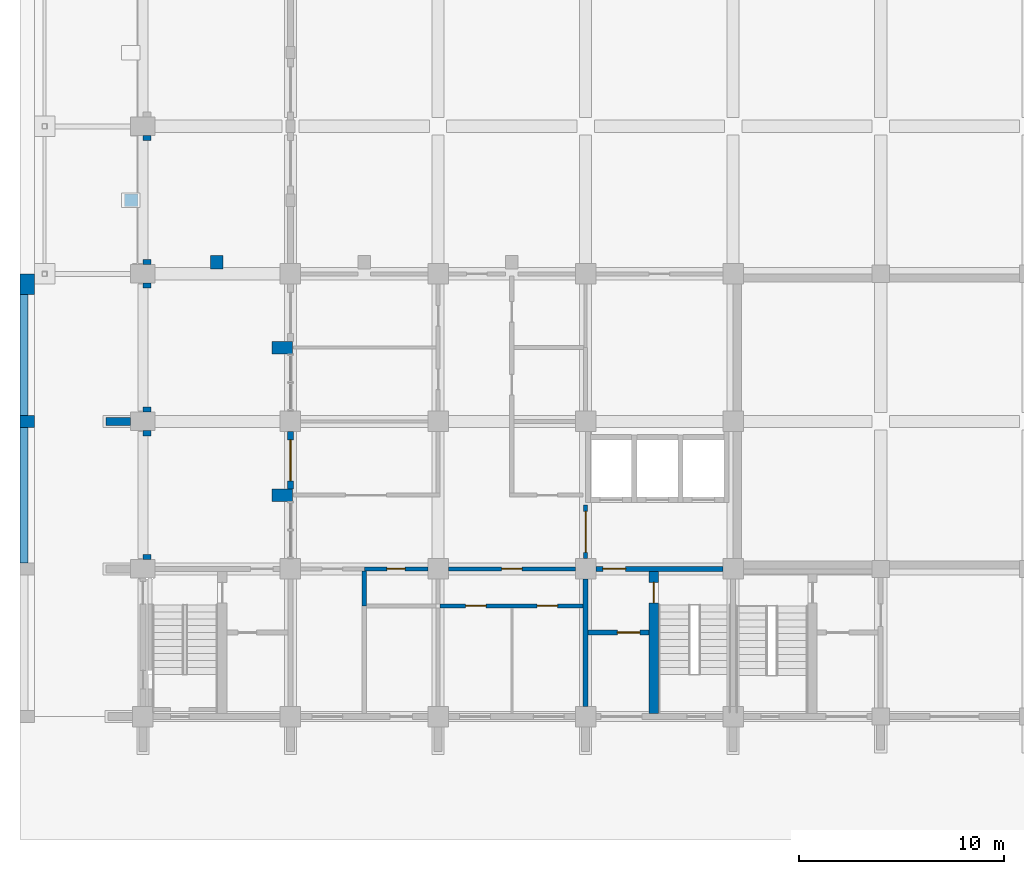
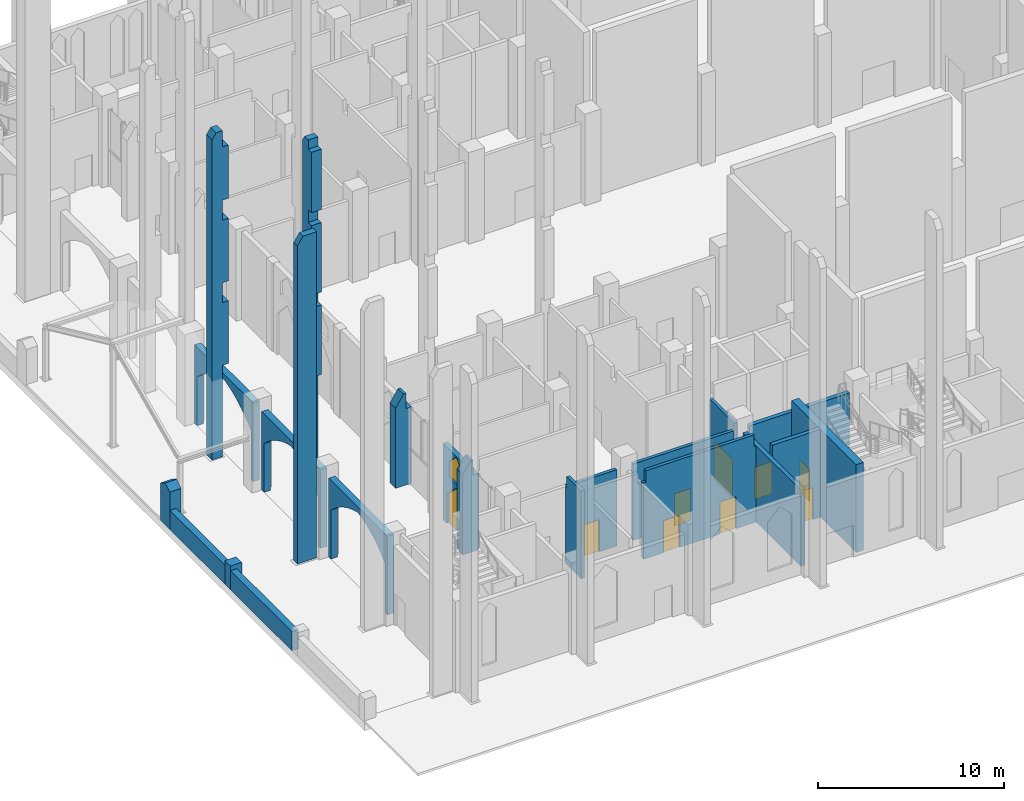
# One storey, part 29 of 50: 22 walls, 9 doors, 1 window, 10 openings.
"""IFC4 building model written with IfcOpenShell, lengths in metres."""

from ifc_helpers import new_model, si_unit, direction, frame, frame_2d, origin, place, context, subcontext, project, spatial, polyline, rectangle, outline, extrude, material, layer, layer_set, type_object, element, fill, save


model = new_model("IFC4")

# Units and contexts
model_context = context("Model", 3, precision=1e-05, world=origin(), true_north=direction((0.0, 1.0)))
body_context = subcontext(model_context, "Body", "Model", "MODEL_VIEW")
ifc_project = project(units=[si_unit("LENGTHUNIT", "METRE"), si_unit("AREAUNIT", "SQUARE_METRE"), si_unit("VOLUMEUNIT", "CUBIC_METRE"), si_unit("PLANEANGLEUNIT", "RADIAN"), si_unit("MASSUNIT", "GRAM", prefix="KILO")], contexts=[model_context])

# Site, building, storey
site_placement = place(None, origin())
site = spatial("IfcSite", under=ifc_project, at=site_placement, CompositionType="ELEMENT")
building_placement = place(site_placement, origin())
building = spatial("IfcBuilding", under=site, at=building_placement, Name="Silangan Lancet Faculty of Sciences", CompositionType="ELEMENT")
storey_placement = place(building_placement, origin())
storey = spatial("IfcBuildingStorey", under=building, at=storey_placement, Name="L00", CompositionType="ELEMENT", Elevation=0.0)

# Wall, openings, window, door
ifc_material_1 = material(Name="Concrete C40/50 precast", Category="concrete")
ifc_layer_1 = layer(ifc_material_1, 0.300048828125)
ifc_layer_set_1 = layer_set([ifc_layer_1], Name="Concrete C40/50 precast")
wall_type_1 = type_object("IfcWallType", Name="EW1 Precast cladding wall", PredefinedType="STANDARD", material=ifc_layer_set_1)
wall_1_placement = place(storey_placement, frame((7.199951171875, 11.10009765625, 0.0), z_axis=(0.0, 0.0, 1.0), x_axis=(0.0, 1.0, 0.0)))
wall_1 = element("IfcWall", 1, at=wall_1_placement, inside=storey, type_object=wall_type_1, Name="EW-L00-SHOP-W-S-m01", PredefinedType="STANDARD", context=body_context, shape_type="SweptSolid", body=[
    extrude(rectangle(XDim=2.7998046875, YDim=0.300048828125, at=frame_2d((1.39990234375, 0.0))), origin(), (0.0, 0.0, 1.0), 5.0),
])
opening_1_placement = place(wall_1_placement, frame((0.39990234375, 0.0, 0.0)))
opening_1 = element("IfcOpeningElement", 2, at=opening_1_placement, cuts=wall_1, Name="Opening L00-919", PredefinedType="OPENING", context=body_context, shape_type="SweptSolid", body=[
    extrude(outline(polyline([(0.0, 0.0), (2.0, 0.0), (2.0, 1.89990234375), (1.0, 2.89990234375), (0.0, 1.89990234375), (0.0, 0.0)])), frame((0.0, 0.159912109375, 0.0), z_axis=(0.0, -1.0, 0.0), x_axis=(1.0, 0.0, 0.0)), (0.0, 0.0, 1.0), 0.320068359375),
])
opening_2_placement = place(wall_1_placement, frame((0.64990234375, 0.0, 3.14990234375)))
opening_2 = element("IfcOpeningElement", 3, at=opening_2_placement, cuts=wall_1, Name="Opening W1", PredefinedType="OPENING", context=body_context, shape_type="SweptSolid", body=[
    extrude(outline(polyline([(0.0, 0.0), (1.5, 0.0), (1.5, 1.050048828125), (0.75, 1.800048828125), (0.0, 1.050048828125), (0.0, 0.0)])), frame((0.0, 0.159912109375, 0.0), z_axis=(0.0, -1.0, 0.0), x_axis=(1.0, 0.0, 0.0)), (0.0, 0.0, 1.0), 0.320068359375),
])
ifc_material_2 = material(Name="Aluminium frame, laminated double glazing", Category="aluminium")
window_type = type_object("IfcWindowType", Name="W1 Lancet window 1500 x 1800 on a 3150 sill", PartitioningType="SINGLE_PANEL", PredefinedType="WINDOW", material=ifc_material_2)
window_placement = place(opening_2_placement, origin())
window = element("IfcWindow", 4, at=window_placement, inside=storey, type_object=window_type, Name="WIN-L00-SHOP-W-S-m01", OverallHeight=1.800048828125, OverallWidth=1.5, PartitioningType="SINGLE_PANEL", PredefinedType="WINDOW", context=body_context, shape_type="SweptSolid", body=[
    extrude(outline(polyline([(0.0, 0.0), (1.5, 0.0), (1.5, 1.050048828125), (0.75, 1.800048828125), (0.0, 1.050048828125), (0.0, 0.0)])), frame((0.0, 0.030029296875, 0.0), z_axis=(0.0, -1.0, 0.0), x_axis=(1.0, 0.0, 0.0)), (0.0, 0.0, 1.0), 0.06005859375),
])
fill(opening_2, window)
ifc_material_3 = material(Name="Aluminium frame, laminated glazing", Category="aluminium")
door_type_1 = type_object("IfcDoorType", Name="XD7 Entrance door pair 2000 x 2900", OperationType="DOUBLE_DOOR_SINGLE_SWING", PredefinedType="DOOR", material=ifc_material_3)
door_1_placement = place(opening_1_placement, origin())
door_1 = element("IfcDoor", 5, at=door_1_placement, inside=storey, type_object=door_type_1, Name="DOOR-L00-919", OperationType="DOUBLE_DOOR_SINGLE_SWING", OverallHeight=2.89990234375, OverallWidth=2.0, PredefinedType="DOOR", context=body_context, shape_type="SweptSolid", body=[
    extrude(outline(polyline([(0.0, 0.0), (2.0, 0.0), (2.0, 1.89990234375), (1.0, 2.89990234375), (0.0, 1.89990234375), (0.0, 0.0)])), frame((0.0, 0.02490234375, 0.0), z_axis=(0.0, -1.0, 0.0), x_axis=(1.0, 0.0, 0.0)), (0.0, 0.0, 1.0), 0.050048828125),
])
fill(opening_1, door_1)

# Walls
ifc_material_4 = material(Name="Concrete C40/50", Category="concrete")
ifc_layer_2 = layer(ifc_material_4, 0.39990234375)
ifc_layer_set_2 = layer_set([ifc_layer_2], Name="Concrete C40/50")
wall_type_2 = type_object("IfcWallType", Name="EW11 Forecourt stone wall 400", PredefinedType="STANDARD", material=ifc_layer_set_2)
wall_2_placement = place(storey_placement, frame((-5.800048828125, 7.5, -0.14990234375), z_axis=(0.0, 0.0, 1.0), x_axis=(0.0, 1.0, 0.0)))
element("IfcWall", 6, at=wall_2_placement, inside=storey, type_object=wall_type_2, Name="BWF-02", PredefinedType="STANDARD", context=body_context, shape_type="SweptSolid", body=[
    extrude(rectangle(XDim=6.60009765625, YDim=0.39990234375, at=frame_2d((3.300048828125, 0.0))), origin(), (0.0, 0.0, 1.0), 1.25),
])
wall_3_placement = place(storey_placement, frame((-5.800048828125, 14.699951171875, -0.14990234375), z_axis=(0.0, 0.0, 1.0), x_axis=(0.0, 1.0, 0.0)))
element("IfcWall", 7, at=wall_3_placement, inside=storey, type_object=wall_type_2, Name="BWF-03", PredefinedType="STANDARD", context=body_context, shape_type="SweptSolid", body=[
    extrude(rectangle(XDim=5.900146484375, YDim=0.39990234375, at=frame_2d((2.9501953125, 0.0))), origin(), (0.0, 0.0, 1.0), 1.25),
])
ifc_material_5 = material(Name="Concrete C40/50", Category="concrete")
ifc_layer_3 = layer(ifc_material_5, 0.699951171875)
ifc_layer_set_3 = layer_set([ifc_layer_3], Name="Concrete C40/50")
wall_type_3 = type_object("IfcWallType", Name="EW12 Forecourt wall pier 700 x 600", PredefinedType="STANDARD", material=ifc_layer_set_3)
wall_4_placement = place(storey_placement, frame((-5.64990234375, 14.10009765625, -0.14990234375), z_axis=(0.0, 0.0, 1.0), x_axis=(0.0, 1.0, 0.0)))
element("IfcWall", 8, at=wall_4_placement, inside=storey, type_object=wall_type_3, Name="BPF-03", PredefinedType="STANDARD", context=body_context, shape_type="SweptSolid", body=[
    extrude(rectangle(XDim=0.599853515625, YDim=0.699951171875, at=frame_2d((0.2998046875, 0.0))), origin(), (0.0, 0.0, 1.0), 1.5498046875),
])
ifc_material_6 = material(Name="Concrete C40/50", Category="concrete")
ifc_layer_4 = layer(ifc_material_6, 0.699951171875)
ifc_layer_set_4 = layer_set([ifc_layer_4], Name="Concrete C40/50")
wall_type_4 = type_object("IfcWallType", Name="EW13 Forecourt gate pier with gabled cap", PredefinedType="POLYGONAL", material=ifc_layer_set_4)
wall_5_placement = place(storey_placement, frame((-5.64990234375, 20.60009765625, -0.14990234375), z_axis=(0.0, 0.0, 1.0), x_axis=(0.0, 1.0, 0.0)))
element("IfcWall", 9, at=wall_5_placement, inside=storey, type_object=wall_type_4, Name="BPG-01", PredefinedType="POLYGONAL", context=body_context, shape_type="SweptSolid", body=[
    extrude(outline(polyline([(0.0, 0.0), (1.0, 0.0), (1.0, 2.449951171875), (0.5, 2.75), (0.0, 2.449951171875), (0.0, 0.0)])), frame((0.0, 0.35009765625, 0.0), z_axis=(0.0, -1.0, 0.0), x_axis=(1.0, 0.0, 0.0)), (0.0, 0.0, 1.0), 0.699951171875),
])
ifc_material_7 = material(Name="Concrete C40/50 precast", Category="concrete")
ifc_layer_5 = layer(ifc_material_7, 0.39990234375)
ifc_layer_set_5 = layer_set([ifc_layer_5], Name="Concrete C40/50 precast")
wall_type_5 = type_object("IfcWallType", Name="EW5 Arcade spandrel arch", PredefinedType="POLYGONAL", material=ifc_layer_set_5)
wall_6_placement = place(storey_placement, frame((0.199951171875, 7.64990234375, 0.0), z_axis=(0.0, 0.0, 1.0), x_axis=(0.0, 1.0, 0.0)))
element("IfcWall", 10, at=wall_6_placement, inside=storey, type_object=wall_type_5, Name="ARC-L00-01", PredefinedType="POLYGONAL", context=body_context, shape_type="SweptSolid", body=[
    extrude(outline(polyline([(0.0, 0.0), (0.25, 0.0), (0.25, 3.199951171875), (0.492431640625, 3.4326171875), (0.747802734375, 3.650634765625), (1.015380859375, 3.853515625), (1.294189453125, 4.040771484375), (1.583251953125, 4.21142578125), (1.882080078125, 4.364990234375), (2.18896484375, 4.501220703125), (2.50341796875, 4.619384765625), (2.82421875, 4.718994140625), (3.14990234375, 4.800048828125), (3.475830078125, 4.718994140625), (3.796630859375, 4.619384765625), (4.111083984375, 4.501220703125), (4.41796875, 4.364990234375), (4.716796875, 4.21142578125), (5.005859375, 4.040771484375), (5.28466796875, 3.853515625), (5.55224609375, 3.650634765625), (5.8076171875, 3.4326171875), (6.050048828125, 3.199951171875), (6.050048828125, 0.0), (6.300048828125, 0.0), (6.300048828125, 5.14990234375), (0.0, 5.14990234375), (0.0, 0.0)])), frame((0.0, 0.199951171875, 0.0), z_axis=(0.0, -1.0, 0.0), x_axis=(1.0, 0.0, 0.0)), (0.0, 0.0, 1.0), 0.39990234375),
])
wall_7_placement = place(storey_placement, frame((0.199951171875, 14.85009765625, 0.0), z_axis=(0.0, 0.0, 1.0), x_axis=(0.0, 1.0, 0.0)))
element("IfcWall", 11, at=wall_7_placement, inside=storey, type_object=wall_type_5, Name="ARC-L00-02", PredefinedType="POLYGONAL", context=body_context, shape_type="SweptSolid", body=[
    extrude(outline(polyline([(0.0, 0.0), (0.25, 0.0), (0.25, 3.199951171875), (0.492431640625, 3.4326171875), (0.74755859375, 3.650634765625), (1.01513671875, 3.853515625), (1.294189453125, 4.040771484375), (1.583251953125, 4.21142578125), (1.8818359375, 4.364990234375), (2.18896484375, 4.501220703125), (2.50341796875, 4.619384765625), (2.823974609375, 4.718994140625), (3.14990234375, 4.800048828125), (3.475830078125, 4.718994140625), (3.79638671875, 4.619384765625), (4.11083984375, 4.501220703125), (4.41796875, 4.364990234375), (4.716552734375, 4.21142578125), (5.005615234375, 4.040771484375), (5.28466796875, 3.853515625), (5.55224609375, 3.650634765625), (5.807373046875, 3.4326171875), (6.0498046875, 3.199951171875), (6.0498046875, 0.0), (6.2998046875, 0.0), (6.2998046875, 5.14990234375), (0.0, 5.14990234375), (0.0, 0.0)])), frame((0.0, 0.199951171875, 0.0), z_axis=(0.0, -1.0, 0.0), x_axis=(1.0, 0.0, 0.0)), (0.0, 0.0, 1.0), 0.39990234375),
])
wall_8_placement = place(storey_placement, frame((0.199951171875, 22.050048828125, 0.0), z_axis=(0.0, 0.0, 1.0), x_axis=(0.0, 1.0, 0.0)))
element("IfcWall", 12, at=wall_8_placement, inside=storey, type_object=wall_type_5, Name="ARC-L00-03", PredefinedType="POLYGONAL", context=body_context, shape_type="SweptSolid", body=[
    extrude(outline(polyline([(0.0, 0.0), (0.25, 0.0), (0.25, 3.199951171875), (0.492431640625, 3.4326171875), (0.747802734375, 3.650634765625), (1.015380859375, 3.853515625), (1.294189453125, 4.040771484375), (1.583251953125, 4.21142578125), (1.882080078125, 4.364990234375), (2.18896484375, 4.501220703125), (2.50341796875, 4.619384765625), (2.82421875, 4.718994140625), (3.14990234375, 4.800048828125), (3.475830078125, 4.718994140625), (3.796630859375, 4.619384765625), (4.111083984375, 4.501220703125), (4.41796875, 4.364990234375), (4.716796875, 4.21142578125), (5.005859375, 4.040771484375), (5.28466796875, 3.853515625), (5.55224609375, 3.650634765625), (5.8076171875, 3.4326171875), (6.050048828125, 3.199951171875), (6.050048828125, 0.0), (6.300048828125, 0.0), (6.300048828125, 5.14990234375), (0.0, 5.14990234375), (0.0, 0.0)])), frame((0.0, 0.199951171875, 0.0), z_axis=(0.0, -1.0, 0.0), x_axis=(1.0, 0.0, 0.0)), (0.0, 0.0, 1.0), 0.39990234375),
])
ifc_material_8 = material(Name="Concrete C40/50 precast", Category="concrete")
ifc_layer_6 = layer(ifc_material_8, 0.39990234375)
ifc_layer_set_6 = layer_set([ifc_layer_6], Name="Concrete C40/50 precast")
wall_type_6 = type_object("IfcWallType", Name="FN14 Buttress Fin column line stage 1 21350", PredefinedType="POLYGONAL", material=ifc_layer_set_6)
wall_9_placement = place(storey_placement, frame((-0.60009765625, 14.39990234375, 0.0), z_axis=(0.0, 0.0, 1.0), x_axis=(-1.0, 0.0, 0.0)))
element("IfcWall", 13, at=wall_9_placement, inside=storey, type_object=wall_type_6, Name="FINC-W-ST-03", PredefinedType="POLYGONAL", context=body_context, shape_type="SweptSolid", body=[
    extrude(outline(polyline([(1.199951171875, 0.0), (1.199951171875, 20.824951171875), (0.85009765625, 21.35009765625), (0.0, 21.35009765625), (0.0, 0.0), (1.199951171875, 0.0)])), frame((0.0, 0.199951171875, 0.0), z_axis=(0.0, -1.0, 0.0), x_axis=(1.0, 0.0, 0.0)), (0.0, 0.0, 1.0), 0.39990234375),
])
ifc_material_9 = material(Name="Concrete C40/50 precast", Category="concrete")
ifc_layer_7 = layer(ifc_material_9, 0.60009765625)
ifc_layer_set_7 = layer_set([ifc_layer_7], Name="Concrete C40/50 precast")
wall_type_7 = type_object("IfcWallType", Name="FN3 Buttress Fin mid-bay stage 1 21350", PredefinedType="POLYGONAL", material=ifc_layer_set_7)
wall_10_placement = place(storey_placement, frame((3.60009765625, 21.5, 0.0), z_axis=(0.0, 0.0, 1.0), x_axis=(0.0, 1.0, 0.0)))
element("IfcWall", 14, at=wall_10_placement, inside=storey, type_object=wall_type_7, Name="FIN-ATR-ST-5", PredefinedType="POLYGONAL", context=body_context, shape_type="SweptSolid", body=[
    extrude(outline(polyline([(1.0, 0.0), (1.0, 20.97509765625), (0.75, 21.35009765625), (0.35009765625, 21.35009765625), (0.35009765625, 20.75), (0.0, 20.75), (0.0, 16.800048828125), (0.35009765625, 16.800048828125), (0.35009765625, 15.949951171875), (0.0, 15.949951171875), (0.0, 11.39990234375), (0.35009765625, 11.39990234375), (0.35009765625, 10.550048828125), (0.0, 10.550048828125), (0.0, 6.0), (0.35009765625, 6.0), (0.35009765625, 0.0), (1.0, 0.0)])), frame((0.0, 0.300048828125, 0.0), z_axis=(0.0, -1.0, 0.0), x_axis=(1.0, 0.0, 0.0)), (0.0, 0.0, 1.0), 0.60009765625),
])
ifc_material_10 = material(Name="Concrete C40/50 precast", Category="concrete")
ifc_layer_8 = layer(ifc_material_10, 0.60009765625)
ifc_layer_set_8 = layer_set([ifc_layer_8], Name="Concrete C40/50 precast")
wall_type_8 = type_object("IfcWallType", Name="FN5 Buttress Fin mid-bay stage 1 21350", PredefinedType="POLYGONAL", material=ifc_layer_set_8)
wall_11_placement = place(storey_placement, frame((0.10009765625, 25.199951171875, 0.0), z_axis=(0.0, 0.0, 1.0), x_axis=(-1.0, 0.0, 0.0)))
element("IfcWall", 15, at=wall_11_placement, inside=storey, type_object=wall_type_8, Name="FIN-W-NAVE-1", PredefinedType="POLYGONAL", context=body_context, shape_type="SweptSolid", body=[
    extrude(outline(polyline([(1.0, 0.0), (1.0, 20.97509765625), (0.75, 21.35009765625), (0.35009765625, 21.35009765625), (0.35009765625, 20.300048828125), (0.0, 20.300048828125), (0.0, 16.800048828125), (0.35009765625, 16.800048828125), (0.35009765625, 15.5), (0.0, 15.5), (0.0, 11.39990234375), (0.35009765625, 11.39990234375), (0.35009765625, 10.10009765625), (0.0, 10.10009765625), (0.0, 6.0), (0.35009765625, 6.0), (0.35009765625, 0.0), (1.0, 0.0)])), frame((0.0, 0.300048828125, 0.0), z_axis=(0.0, -1.0, 0.0), x_axis=(1.0, 0.0, 0.0)), (0.0, 0.0, 1.0), 0.60009765625),
])
ifc_material_11 = material(Name="Concrete C40/50 precast", Category="concrete")
ifc_layer_9 = layer(ifc_material_11, 0.60009765625)
ifc_layer_set_9 = layer_set([ifc_layer_9], Name="Concrete C40/50 precast")
wall_type_9 = type_object("IfcWallType", Name="FN9 Buttress Fin mid-bay stage 1 6000", PredefinedType="POLYGONAL", material=ifc_layer_set_9)
for number, where, z_axis, x_axis, name in (
    (16, (7.300048828125, 10.800048828125, 0.0), (0.0, 0.0, 1.0), (-1.0, 0.0, 0.0), "FIN-SHOP-W-S-1"),
    (17, (7.300048828125, 18.0, 0.0), (0.0, 0.0, 1.0), (-1.0, 0.0, 0.0), "FIN-SHOP-W-S-3"),
):
    element("IfcWall", number, at=place(storey_placement, frame(where, z_axis=z_axis, x_axis=x_axis)), inside=storey, type_object=wall_type_9, Name=name, PredefinedType="POLYGONAL", context=body_context, shape_type="SweptSolid", body=[
        extrude(outline(polyline([(1.0, 0.0), (1.0, 5.25), (0.5, 6.0), (0.35009765625, 6.0), (0.35009765625, 5.0), (0.0, 5.0), (0.0, 0.0), (1.0, 0.0)])), frame((0.0, 0.300048828125, 0.0), z_axis=(0.0, -1.0, 0.0), x_axis=(1.0, 0.0, 0.0)), (0.0, 0.0, 1.0), 0.60009765625),
    ])

# Wall, openings, doors
ifc_material_12 = material(Name="Hollow block masonry fm 7 MPa", Category="masonry")
ifc_layer_10 = layer(ifc_material_12, 0.199951171875)
ifc_layer_set_10 = layer_set([ifc_layer_10], Name="Hollow block masonry fm 7 MPa")
wall_type_10 = type_object("IfcWallType", Name="Interior wall PW1 Corridor wall CHB 200", PredefinedType="PARTITIONING", material=ifc_layer_set_10)
wall_12_placement = place(storey_placement, frame((14.5, 5.39990234375, 0.0), z_axis=(0.0, 0.0, 1.0), x_axis=(1.0, 0.0, 0.0)))
wall_12 = element("IfcWall", 18, at=wall_12_placement, inside=storey, type_object=wall_type_10, Name="Corridor wall CHB 200", PredefinedType="PARTITIONING", context=body_context, shape_type="SweptSolid", body=[
    extrude(outline(polyline([(0.0, 0.0), (6.97509765625, 0.0), (6.97509765625, 5.0), (6.85009765625, 5.0), (6.85009765625, 5.75), (0.14990234375, 5.75), (0.14990234375, 5.0), (0.0, 5.0), (0.0, 0.0)])), frame((0.0, 0.10009765625, 0.0), z_axis=(0.0, -1.0, 0.0), x_axis=(1.0, 0.0, 0.0)), (0.0, 0.0, 1.0), 0.199951171875),
])
opening_3_placement = place(wall_12_placement, frame((1.25, 0.0, 0.0)))
opening_3 = element("IfcOpeningElement", 19, at=opening_3_placement, cuts=wall_12, Name="Opening L00-044", PredefinedType="OPENING", context=body_context, shape_type="SweptSolid", body=[
    extrude(rectangle(XDim=1.0, YDim=2.10009765625, at=frame_2d((0.5, 1.050048828125))), frame((0.0, 0.10986328125, 0.0), z_axis=(0.0, -1.0, 0.0), x_axis=(1.0, 0.0, 0.0)), (0.0, 0.0, 1.0), 0.219970703125),
])
opening_4_placement = place(wall_12_placement, frame((4.737548828125, 0.0, 0.0)))
opening_4 = element("IfcOpeningElement", 20, at=opening_4_placement, cuts=wall_12, Name="Opening L00-045", PredefinedType="OPENING", context=body_context, shape_type="SweptSolid", body=[
    extrude(rectangle(XDim=1.0, YDim=2.10009765625, at=frame_2d((0.5, 1.050048828125))), frame((0.0, 0.10986328125, 0.0), z_axis=(0.0, -1.0, 0.0), x_axis=(1.0, 0.0, 0.0)), (0.0, 0.0, 1.0), 0.219970703125),
])
ifc_material_13 = material(Name="Steel fire door set", Category="steel")
door_type_2 = type_object("IfcDoorType", Name="Door D1 Single leaf fire door 1000 x 2100", OperationType="SINGLE_SWING_LEFT", PredefinedType="DOOR", material=ifc_material_13)
door_2_placement = place(opening_3_placement, frame((1.0, 0.0, 0.0), z_axis=(0.0, 0.0, 1.0), x_axis=(-1.0, 0.0, 0.0)))
door_2 = element("IfcDoor", 21, at=door_2_placement, inside=storey, type_object=door_type_2, Name="Single leaf fire door 1000 x 2100", OperationType="SINGLE_SWING_RIGHT", OverallHeight=2.10009765625, OverallWidth=1.0, PredefinedType="DOOR", context=body_context, shape_type="SweptSolid", body=[
    extrude(rectangle(XDim=1.0, YDim=2.10009765625, at=frame_2d((0.5, 1.050048828125))), frame((0.0, 0.025146484375, 0.0), z_axis=(0.0, -1.0, 0.0), x_axis=(1.0, 0.0, 0.0)), (0.0, 0.0, 1.0), 0.050048828125),
])
fill(opening_3, door_2)
door_3_placement = place(opening_4_placement, frame((1.0, 0.0, 0.0), z_axis=(0.0, 0.0, 1.0), x_axis=(-1.0, 0.0, 0.0)))
door_3 = element("IfcDoor", 22, at=door_3_placement, inside=storey, type_object=door_type_2, Name="Single leaf fire door 1000 x 2100", OperationType="SINGLE_SWING_LEFT", OverallHeight=2.10009765625, OverallWidth=1.0, PredefinedType="DOOR", context=body_context, shape_type="SweptSolid", body=[
    extrude(rectangle(XDim=1.0, YDim=2.10009765625, at=frame_2d((0.5, 1.050048828125))), frame((0.0, 0.025146484375, 0.0), z_axis=(0.0, -1.0, 0.0), x_axis=(1.0, 0.0, 0.0)), (0.0, 0.0, 1.0), 0.050048828125),
])
fill(opening_4, door_3)

# Wall, opening, door
wall_13_placement = place(storey_placement, frame((14.89990234375, 7.199951171875, 0.0), z_axis=(0.0, 0.0, 1.0), x_axis=(1.0, 0.0, 0.0)))
wall_13 = element("IfcWall", 23, at=wall_13_placement, inside=storey, type_object=wall_type_10, Name="Corridor wall CHB 200", PredefinedType="PARTITIONING", context=body_context, shape_type="SweptSolid", body=[
    extrude(rectangle(XDim=6.2001953125, YDim=0.199951171875, at=frame_2d((3.10009765625, 0.0))), origin(), (0.0, 0.0, 1.0), 5.0),
])
opening_5_placement = place(wall_13_placement, frame((2.60009765625, 0.0, 0.0)))
opening_5 = element("IfcOpeningElement", 24, at=opening_5_placement, cuts=wall_13, Name="Opening L00-006", PredefinedType="OPENING", context=body_context, shape_type="SweptSolid", body=[
    extrude(rectangle(XDim=1.0, YDim=2.10009765625, at=frame_2d((0.5, 1.050048828125))), frame((0.0, 0.10986328125, 0.0), z_axis=(0.0, -1.0, 0.0), x_axis=(1.0, 0.0, 0.0)), (0.0, 0.0, 1.0), 0.219970703125),
])
door_4_placement = place(opening_5_placement, frame((1.0, 0.0, 0.0), z_axis=(0.0, 0.0, 1.0), x_axis=(-1.0, 0.0, 0.0)))
door_4 = element("IfcDoor", 25, at=door_4_placement, inside=storey, type_object=door_type_2, Name="Single leaf fire door 1000 x 2100", OperationType="SINGLE_SWING_LEFT", OverallHeight=2.10009765625, OverallWidth=1.0, PredefinedType="DOOR", context=body_context, shape_type="SweptSolid", body=[
    extrude(rectangle(XDim=1.0, YDim=2.10009765625, at=frame_2d((0.5, 1.050048828125))), frame((0.0, 0.025146484375, 0.0), z_axis=(0.0, -1.0, 0.0), x_axis=(1.0, 0.0, 0.0)), (0.0, 0.0, 1.0), 0.050048828125),
])
fill(opening_5, door_4)

ifc_material_14 = material(Name="Concrete C35/45", Category="concrete")
ifc_layer_11 = layer(ifc_material_14, 0.199951171875)
ifc_layer_set_11 = layer_set([ifc_layer_11], Name="Concrete C35/45")
wall_type_11 = type_object("IfcWallType", Name="Interior wall PW5 Riser wall RC 200", PredefinedType="SOLIDWALL", material=ifc_layer_set_11)
wall_14_placement = place(storey_placement, frame((10.800048828125, 7.199951171875, 0.0), z_axis=(0.0, 0.0, 1.0), x_axis=(1.0, 0.0, 0.0)))
wall_14 = element("IfcWall", 26, at=wall_14_placement, inside=storey, type_object=wall_type_11, Name="Riser wall RC 200", PredefinedType="SOLIDWALL", context=body_context, shape_type="SweptSolid", body=[
    extrude(rectangle(XDim=3.099853515625, YDim=0.199951171875, at=frame_2d((1.5498046875, 0.0))), origin(), (0.0, 0.0, 1.0), 5.0),
])
opening_6_placement = place(wall_14_placement, frame((1.10009765625, 0.0, 0.0)))
opening_6 = element("IfcOpeningElement", 27, at=opening_6_placement, cuts=wall_14, Name="Opening L00-043", PredefinedType="OPENING", context=body_context, shape_type="SweptSolid", body=[
    extrude(rectangle(XDim=0.89990234375, YDim=2.10009765625, at=frame_2d((0.449951171875, 1.050048828125))), frame((0.0, 0.10986328125, 0.0), z_axis=(0.0, -1.0, 0.0), x_axis=(1.0, 0.0, 0.0)), (0.0, 0.0, 1.0), 0.219970703125),
])
ifc_material_15 = material(Name="Steel fire door set", Category="steel")
door_type_3 = type_object("IfcDoorType", Name="Door D9 Riser access door 900 x 2100", OperationType="SINGLE_SWING_LEFT", PredefinedType="DOOR", material=ifc_material_15)
door_5_placement = place(opening_6_placement, frame((0.89990234375, 0.0, 0.0), z_axis=(0.0, 0.0, 1.0), x_axis=(-1.0, 0.0, 0.0)))
door_5 = element("IfcDoor", 28, at=door_5_placement, inside=storey, type_object=door_type_3, Name="Riser access door 900 x 2100", OperationType="SINGLE_SWING_LEFT", OverallHeight=2.10009765625, OverallWidth=0.89990234375, PredefinedType="DOOR", context=body_context, shape_type="SweptSolid", body=[
    extrude(rectangle(XDim=0.89990234375, YDim=2.10009765625, at=frame_2d((0.449951171875, 1.050048828125))), frame((0.0, 0.025146484375, 0.0), z_axis=(0.0, -1.0, 0.0), x_axis=(1.0, 0.0, 0.0)), (0.0, 0.0, 1.0), 0.050048828125),
])
fill(opening_6, door_5)

# Wall
wall_15_placement = place(storey_placement, frame((10.800048828125, 5.39990234375, 0.0), z_axis=(0.0, 0.0, 1.0), x_axis=(0.0, 1.0, 0.0)))
element("IfcWall", 29, at=wall_15_placement, inside=storey, type_object=wall_type_11, Name="Riser wall RC 200", PredefinedType="SOLIDWALL", context=body_context, shape_type="SweptSolid", body=[
    extrude(outline(polyline([(0.0, 0.0), (1.7001953125, 0.0), (1.7001953125, 5.0), (1.550048828125, 5.0), (1.550048828125, 5.75), (0.0, 5.75), (0.0, 0.0)])), frame((0.0, 0.10009765625, 0.0), z_axis=(0.0, -1.0, 0.0), x_axis=(1.0, 0.0, 0.0)), (0.0, 0.0, 1.0), 0.199951171875),
])

# Wall, opening, door
ifc_material_16 = material(Name="Hollow block masonry fm 7 MPa", Category="masonry")
ifc_layer_12 = layer(ifc_material_16, 0.199951171875)
ifc_layer_set_12 = layer_set([ifc_layer_12], Name="Hollow block masonry fm 7 MPa")
wall_type_12 = type_object("IfcWallType", Name="Interior wall PW9 Lift lobby wall CHB 200", PredefinedType="PARTITIONING", material=ifc_layer_set_12)
wall_16_placement = place(storey_placement, frame((21.60009765625, 7.699951171875, 0.0), z_axis=(0.0, 0.0, 1.0), x_axis=(0.0, 1.0, 0.0)))
wall_16 = element("IfcWall", 30, at=wall_16_placement, inside=storey, type_object=wall_type_12, Name="Lift lobby wall CHB 200", PredefinedType="PARTITIONING", context=body_context, shape_type="SweptSolid", body=[
    extrude(rectangle(XDim=2.625, YDim=0.199951171875, at=frame_2d((1.3125, 0.0))), origin(), (0.0, 0.0, 1.0), 5.0),
])
opening_7_placement = place(wall_16_placement, frame((0.3125, 0.0, 0.0)))
opening_7 = element("IfcOpeningElement", 31, at=opening_7_placement, cuts=wall_16, Name="Opening L00-005", PredefinedType="OPENING", context=body_context, shape_type="SweptSolid", body=[
    extrude(rectangle(XDim=2.0, YDim=2.39990234375, at=frame_2d((1.0, 1.199951171875))), frame((0.0, 0.10986328125, 0.0), z_axis=(0.0, -1.0, 0.0), x_axis=(1.0, 0.0, 0.0)), (0.0, 0.0, 1.0), 0.219970703125),
])
ifc_material_17 = material(Name="Steel fire door set", Category="steel")
door_type_4 = type_object("IfcDoorType", Name="Door D5 Lift lobby double fire door 2000 x 2400", OperationType="DOUBLE_DOOR_SINGLE_SWING", PredefinedType="DOOR", material=ifc_material_17)
door_6_placement = place(opening_7_placement, origin())
door_6 = element("IfcDoor", 32, at=door_6_placement, inside=storey, type_object=door_type_4, Name="Lift lobby double fire door 2000 x 2400", OperationType="DOUBLE_DOOR_SINGLE_SWING", OverallHeight=2.39990234375, OverallWidth=2.0, PredefinedType="DOOR", context=body_context, shape_type="SweptSolid", body=[
    extrude(rectangle(XDim=2.0, YDim=2.39990234375, at=frame_2d((1.0, 1.199951171875))), frame((0.0, 0.02490234375, 0.0), z_axis=(0.0, -1.0, 0.0), x_axis=(1.0, 0.0, 0.0)), (0.0, 0.0, 1.0), 0.050048828125),
])
fill(opening_7, door_6)

ifc_material_18 = material(Name="Concrete C40/50", Category="concrete")
ifc_layer_13 = layer(ifc_material_18, 0.449951171875)
ifc_layer_set_13 = layer_set([ifc_layer_13], Name="Concrete C40/50")
wall_type_13 = type_object("IfcWallType", Name="TURRET CORE WALL RC 450", PredefinedType="SHEAR", material=ifc_layer_set_13)
wall_17_placement = place(storey_placement, frame((24.925048828125, 0.14990234375, 0.0), z_axis=(0.0, 0.0, 1.0), x_axis=(0.0, 1.0, 0.0)))
wall_17 = element("IfcWall", 33, at=wall_17_placement, inside=storey, type_object=wall_type_13, Name="WALL-L00-ST-B-WELL", PredefinedType="SHEAR", context=body_context, shape_type="SweptSolid", body=[
    extrude(rectangle(XDim=6.925048828125, YDim=0.449951171875, at=frame_2d((3.46240234375, 0.0))), origin(), (0.0, 0.0, 1.0), 5.75),
])
opening_8_placement = place(wall_17_placement, frame((5.39990234375, 0.0, 0.0)))
opening_8 = element("IfcOpeningElement", 34, at=opening_8_placement, cuts=wall_17, Name="Opening L00-728", PredefinedType="OPENING", context=body_context, shape_type="SweptSolid", body=[
    extrude(rectangle(XDim=1.0, YDim=2.10009765625, at=frame_2d((0.5, 1.050048828125))), frame((0.0, 0.23486328125, 0.0), z_axis=(0.0, -1.0, 0.0), x_axis=(1.0, 0.0, 0.0)), (0.0, 0.0, 1.0), 0.469970703125),
])
ifc_material_19 = material(Name="Steel fire door set", Category="steel")
door_type_5 = type_object("IfcDoorType", Name="D71 Stair enclosure door 1000x2100", OperationType="SINGLE_SWING_LEFT", PredefinedType="DOOR", material=ifc_material_19)
door_7_placement = place(opening_8_placement, frame((1.0, 0.0, 0.0), z_axis=(0.0, 0.0, 1.0), x_axis=(-1.0, 0.0, 0.0)))
door_7 = element("IfcDoor", 35, at=door_7_placement, inside=storey, type_object=door_type_5, Name="Stair enclosure door ST-B L00", OperationType="SINGLE_SWING_LEFT", OverallHeight=2.10009765625, OverallWidth=1.0, PredefinedType="DOOR", context=body_context, shape_type="SweptSolid", body=[
    extrude(rectangle(XDim=1.0, YDim=2.10009765625, at=frame_2d((0.5, 1.050048828125))), frame((0.0, 0.025146484375, 0.0), z_axis=(0.0, -1.0, 0.0), x_axis=(1.0, 0.0, 0.0)), (0.0, 0.0, 1.0), 0.050048828125),
])
fill(opening_8, door_7)

ifc_material_20 = material(Name="Concrete C40/50", Category="concrete")
ifc_layer_14 = layer(ifc_material_20, 0.25)
ifc_layer_set_14 = layer_set([ifc_layer_14], Name="Concrete C40/50")
wall_type_14 = type_object("IfcWallType", Name="TURRET WALL RC 250", PredefinedType="SHEAR", material=ifc_layer_set_14)
wall_18_placement = place(storey_placement, frame((22.10009765625, 7.199951171875, 0.0), z_axis=(0.0, 0.0, 1.0), x_axis=(1.0, 0.0, 0.0)))
wall_18 = element("IfcWall", 36, at=wall_18_placement, inside=storey, type_object=wall_type_14, Name="WALL-L00-ST-B-V", PredefinedType="SHEAR", context=body_context, shape_type="SweptSolid", body=[
    extrude(rectangle(XDim=6.199951171875, YDim=0.25, at=frame_2d((3.10009765625, 0.0))), origin(), (0.0, 0.0, 1.0), 5.0),
])
opening_9_placement = place(wall_18_placement, frame((0.35009765625, 0.0, 0.0)))
opening_9 = element("IfcOpeningElement", 37, at=opening_9_placement, cuts=wall_18, Name="Opening L00-729", PredefinedType="OPENING", context=body_context, shape_type="SweptSolid", body=[
    extrude(rectangle(XDim=1.10009765625, YDim=2.10009765625, at=frame_2d((0.550048828125, 1.050048828125))), frame((0.0, 0.135009765625, 0.0), z_axis=(0.0, -1.0, 0.0), x_axis=(1.0, 0.0, 0.0)), (0.0, 0.0, 1.0), 0.27001953125),
])
ifc_material_21 = material(Name="Steel fire door set", Category="steel")
door_type_6 = type_object("IfcDoorType", Name="D70 Stair vestibule door 1100x2100", OperationType="SINGLE_SWING_LEFT", PredefinedType="DOOR", material=ifc_material_21)
door_8_placement = place(opening_9_placement, frame((1.10009765625, 0.0, 0.0), z_axis=(0.0, 0.0, 1.0), x_axis=(-1.0, 0.0, 0.0)))
door_8 = element("IfcDoor", 38, at=door_8_placement, inside=storey, type_object=door_type_6, Name="Stair vestibule door ST-B L00", OperationType="SINGLE_SWING_RIGHT", OverallHeight=2.10009765625, OverallWidth=1.10009765625, PredefinedType="DOOR", context=body_context, shape_type="SweptSolid", body=[
    extrude(rectangle(XDim=1.10009765625, YDim=2.10009765625, at=frame_2d((0.550048828125, 1.050048828125))), frame((0.0, 0.025146484375, 0.0), z_axis=(0.0, -1.0, 0.0), x_axis=(1.0, 0.0, 0.0)), (0.0, 0.0, 1.0), 0.050048828125),
])
fill(opening_9, door_8)

# Wall
wall_19_placement = place(storey_placement, frame((21.60009765625, 0.5, 0.0), z_axis=(0.0, 0.0, 1.0), x_axis=(0.0, 1.0, 0.0)))
element("IfcWall", 39, at=wall_19_placement, inside=storey, type_object=wall_type_14, Name="WALL-L00-ST-B-O", PredefinedType="SHEAR", context=body_context, shape_type="SweptSolid", body=[
    extrude(rectangle(XDim=6.199951171875, YDim=0.25, at=frame_2d((3.10009765625, 0.0))), origin(), (0.0, 0.0, 1.0), 5.0),
])

# Wall, opening, door
wall_20_placement = place(storey_placement, frame((21.72509765625, 4.10009765625, 0.0), z_axis=(0.0, 0.0, 1.0), x_axis=(1.0, 0.0, 0.0)))
wall_20 = element("IfcWall", 40, at=wall_20_placement, inside=storey, type_object=wall_type_14, Name="WALL-L00-ST-B-RISER", PredefinedType="SHEAR", context=body_context, shape_type="SweptSolid", body=[
    extrude(rectangle(XDim=2.974853515625, YDim=0.25, at=frame_2d((1.4873046875, 0.0))), origin(), (0.0, 0.0, 1.0), 5.75),
])
opening_10_placement = place(wall_20_placement, frame((1.425048828125, 0.0, 0.0)))
opening_10 = element("IfcOpeningElement", 41, at=opening_10_placement, cuts=wall_20, Name="Opening L00-730", PredefinedType="OPENING", context=body_context, shape_type="SweptSolid", body=[
    extrude(rectangle(XDim=1.10009765625, YDim=2.10009765625, at=frame_2d((0.550048828125, 1.050048828125))), frame((0.0, 0.135009765625, 0.0), z_axis=(0.0, -1.0, 0.0), x_axis=(1.0, 0.0, 0.0)), (0.0, 0.0, 1.0), 0.27001953125),
])
door_9_placement = place(opening_10_placement, frame((1.10009765625, 0.0, 0.0), z_axis=(0.0, 0.0, 1.0), x_axis=(-1.0, 0.0, 0.0)))
door_9 = element("IfcDoor", 42, at=door_9_placement, inside=storey, type_object=door_type_6, Name="Exit passageway door ST-B L00", OperationType="SINGLE_SWING_RIGHT", OverallHeight=2.10009765625, OverallWidth=1.10009765625, PredefinedType="DOOR", context=body_context, shape_type="SweptSolid", body=[
    extrude(rectangle(XDim=1.10009765625, YDim=2.10009765625, at=frame_2d((0.550048828125, 1.050048828125))), frame((0.0, 0.025146484375, 0.0), z_axis=(0.0, -1.0, 0.0), x_axis=(1.0, 0.0, 0.0)), (0.0, 0.0, 1.0), 0.050048828125),
])
fill(opening_10, door_9)

save(model, "model.ifc")
